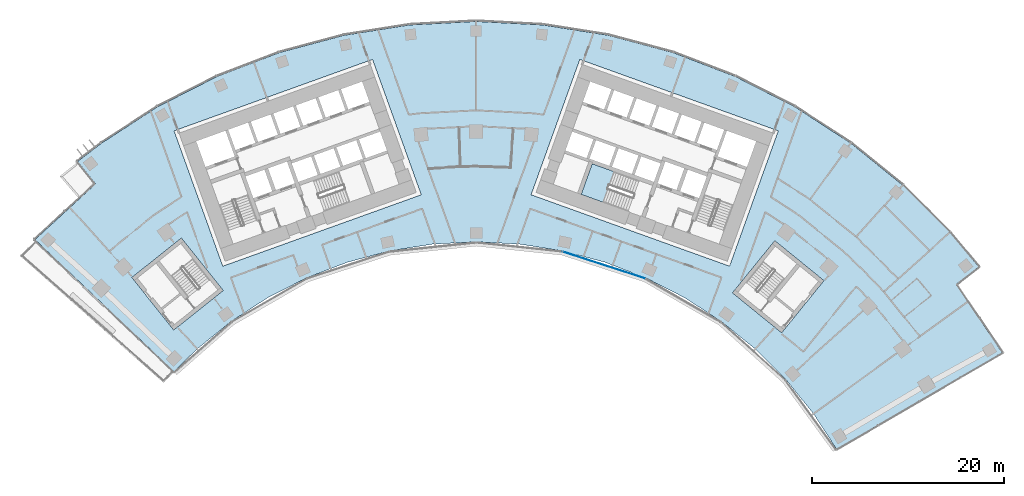
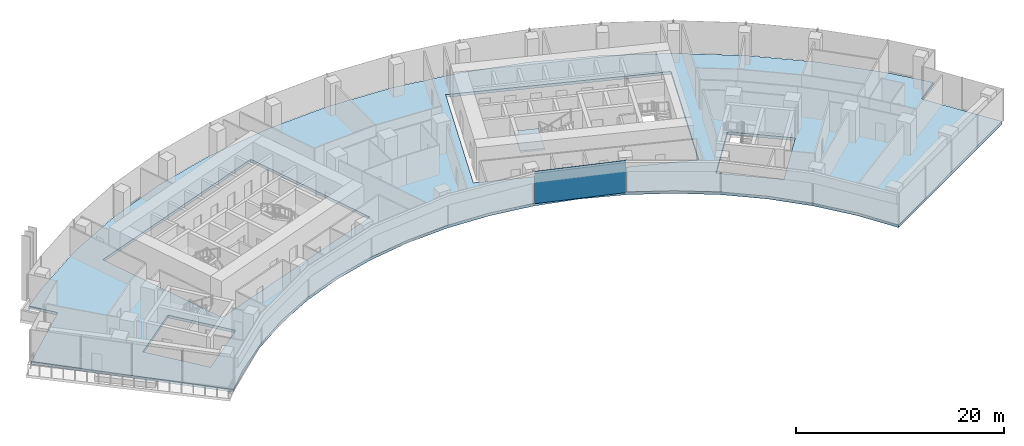
# One storey, part 11 of 20: 2 slabs, 1 plate, 2 elements without a shape of their own.
"""IFC4 building model written with IfcOpenShell, lengths in metres."""

from ifc_helpers import new_model, si_unit, direction, frame, origin, origin_2d, place, context, subcontext, project, spatial, polyline, rectangle, outline, extrude, material, layer, layer_set, type_object, element, aggregate, save


model = new_model("IFC4")

# Units and contexts
model_context = context("Model", 3, precision=1e-05, world=origin(), true_north=direction((0.0, 1.0)))
body_context = subcontext(model_context, "Body", "Model", "MODEL_VIEW")
ifc_project = project(units=[si_unit("LENGTHUNIT", "METRE"), si_unit("AREAUNIT", "SQUARE_METRE"), si_unit("VOLUMEUNIT", "CUBIC_METRE"), si_unit("PLANEANGLEUNIT", "RADIAN"), si_unit("MASSUNIT", "GRAM", prefix="KILO")], contexts=[model_context])

# Site, building, storey
site_placement = place(None, origin())
site = spatial("IfcSite", under=ifc_project, at=site_placement, CompositionType="ELEMENT")
building_placement = place(site_placement, origin())
building = spatial("IfcBuilding", under=site, at=building_placement, Name="Stone Belt Terrace Tower", CompositionType="ELEMENT")
storey_placement = place(building_placement, frame((0.0, 0.0, 125.0)))
storey = spatial("IfcBuildingStorey", under=building, at=storey_placement, Name="L30", CompositionType="ELEMENT", Elevation=125.0)

# Curtain wall, plate
ifc_material_1 = material(Name="Aluminium 6063-T6 anodised frame", Category="aluminium")
ifc_layer_1 = layer(ifc_material_1, 0.14990234375)
ifc_layer_set_1 = layer_set([ifc_layer_1], Name="CW-B unitised concave-face curtain wall")
curtain_wall_type = type_object("IfcCurtainWallType", Name="CW-B unitised concave-face curtain wall", PredefinedType="NOTDEFINED", material=ifc_layer_set_1)
curtain_wall_placement = place(storey_placement, origin())
curtain_wall = element("IfcCurtainWall", 1, at=curtain_wall_placement, inside=storey, type_object=curtain_wall_type, Name="CW-B concave face L30", PredefinedType="NOTDEFINED")
ifc_material_2 = material(Name="Clear double glazed unit")
ifc_layer_2 = layer(ifc_material_2, 0.030029296875)
ifc_layer_set_2 = layer_set([ifc_layer_2], Name="CW-B glass panel 30")
plate_type = type_object("IfcPlateType", Name="CW-B glass panel 30", PredefinedType="CURTAIN_PANEL", material=ifc_layer_set_2)
plate_placement = place(storey_placement, frame((13.345458984375, 41.072998046875, 0.0), z_axis=(0.0, 0.0, 1.0), x_axis=(0.951056516295, -0.309016994375, 0.0)))
plate = element("IfcPlate", 2, at=plate_placement, type_object=plate_type, Name="CW-B panel 6.1", PredefinedType="CURTAIN_PANEL", context=body_context, shape_type="SweptSolid", body=[
    extrude(rectangle(XDim=9.0126953125, YDim=0.030029296875, at=origin_2d()), origin(), (0.0, 0.0, 1.0), 3.800048828125),
])
aggregate(curtain_wall, [plate])

# Slab
ifc_material_3 = material(Name="Concrete B40", Category="concrete")
ifc_layer_3 = layer(ifc_material_3, 0.320068359375)
ifc_layer_set_3 = layer_set([ifc_layer_3], Name="Floor slab 320 B40")
slab_type_1 = type_object("IfcSlabType", Name="Floor slab 320 B40", PredefinedType="FLOOR", material=ifc_layer_set_3)
slab_1_placement = place(storey_placement, frame((0.0, 0.0, -0.320068359375)))
element("IfcSlab", 3, at=slab_1_placement, inside=storey, type_object=slab_type_1, Name="Floor slab L30", PredefinedType="FLOOR", context=body_context, shape_type="SweptSolid", body=[
    extrude(outline(polyline([(-39.087646484375, 53.799560546875), (-33.25, 57.5908203125), (-27.048095703125, 60.750732421875), (-20.549560546875, 63.245361328125), (-13.826171875, 65.046875), (-6.951171875, 66.1357421875), (0.0, 66.5), (6.951171875, 66.1357421875), (13.826171875, 65.046875), (20.549560546875, 63.245361328125), (27.048095703125, 60.750732421875), (33.25, 57.5908203125), (39.087646484375, 53.799560546875), (44.497314453125, 49.419189453125), (49.419189453125, 44.497314453125), (52.4326171875, 40.9033203125), (50.067138671875, 39.05810546875), (54.879150390625, 31.945556640625), (37.594482421875, 21.884033203125), (35.192138671875, 25.568603515625), (32.326904296875, 29.107177734375), (29.107177734375, 32.326904296875), (25.568603515625, 35.192138671875), (21.75, 37.672119140625), (17.693115234375, 39.7392578125), (13.442138671875, 41.37109375), (9.044189453125, 42.54931640625), (4.547119140625, 43.26171875), (0.0, 43.5), (-4.547119140625, 43.26171875), (-9.044189453125, 42.54931640625), (-13.442138671875, 41.37109375), (-17.693115234375, 39.7392578125), (-21.75, 37.672119140625), (-25.568603515625, 35.192138671875), (-29.107177734375, 32.326904296875), (-31.53369140625, 29.964599609375), (-46.031982421875, 43.7412109375), (-39.709228515625, 49.55224609375), (-41.585205078125, 51.893310546875), (-39.087646484375, 53.799560546875)]), holes=[polyline([(-26.434814453125, 40.968994140625), (-5.734619140625, 48.418701171875), (-10.81396484375, 62.532470703125), (-31.51416015625, 55.082763671875), (-26.434814453125, 40.968994140625)]), polyline([(10.81396484375, 62.532470703125), (5.734619140625, 48.418701171875), (26.434814453125, 40.968994140625), (31.51416015625, 55.082763671875), (10.81396484375, 62.532470703125)]), polyline([(-35.91796875, 39.787353515625), (-31.55615234375, 34.3125), (-26.39404296875, 38.425048828125), (-30.756103515625, 43.89990234375), (-35.91796875, 39.787353515625)]), polyline([(36.2783203125, 39.459228515625), (31.15380859375, 43.61865234375), (26.742431640625, 38.18359375), (31.86669921875, 34.024169921875), (36.2783203125, 39.459228515625)])]), origin(), (0.0, 0.0, 1.0), 0.320068359375),
])

# Stair, slab
stair_type = type_object("IfcStairType", Name="Exit stair 1500", PredefinedType="HALF_TURN_STAIR", material=ifc_material_3)
stair_placement = place(storey_placement, origin())
stair = element("IfcStair", 4, at=stair_placement, inside=storey, type_object=stair_type, Name="L30 Exit stair 2 core B", PredefinedType="HALF_TURN_STAIR")
ifc_layer_4 = layer(ifc_material_3, 0.199951171875)
ifc_layer_set_4 = layer_set([ifc_layer_4], Name="Stair landing 200")
slab_type_2 = type_object("IfcSlabType", Name="Stair landing 200", PredefinedType="LANDING", material=ifc_layer_set_4)
slab_2_placement = place(storey_placement, frame((0.0, 0.0, 1.699951171875)))
slab_2 = element("IfcSlab", 5, at=slab_2_placement, type_object=slab_type_2, Name="ST2B landing 1", PredefinedType="LANDING", context=body_context, shape_type="SweptSolid", body=[
    extrude(outline(polyline([(14.36474609375, 50.839111328125), (12.10595703125, 51.652099609375), (10.95458984375, 48.453125), (13.213623046875, 47.64013671875), (14.36474609375, 50.839111328125)])), origin(), (0.0, 0.0, 1.0), 0.199951171875),
])
aggregate(stair, [slab_2])

save(model, "model.ifc")
